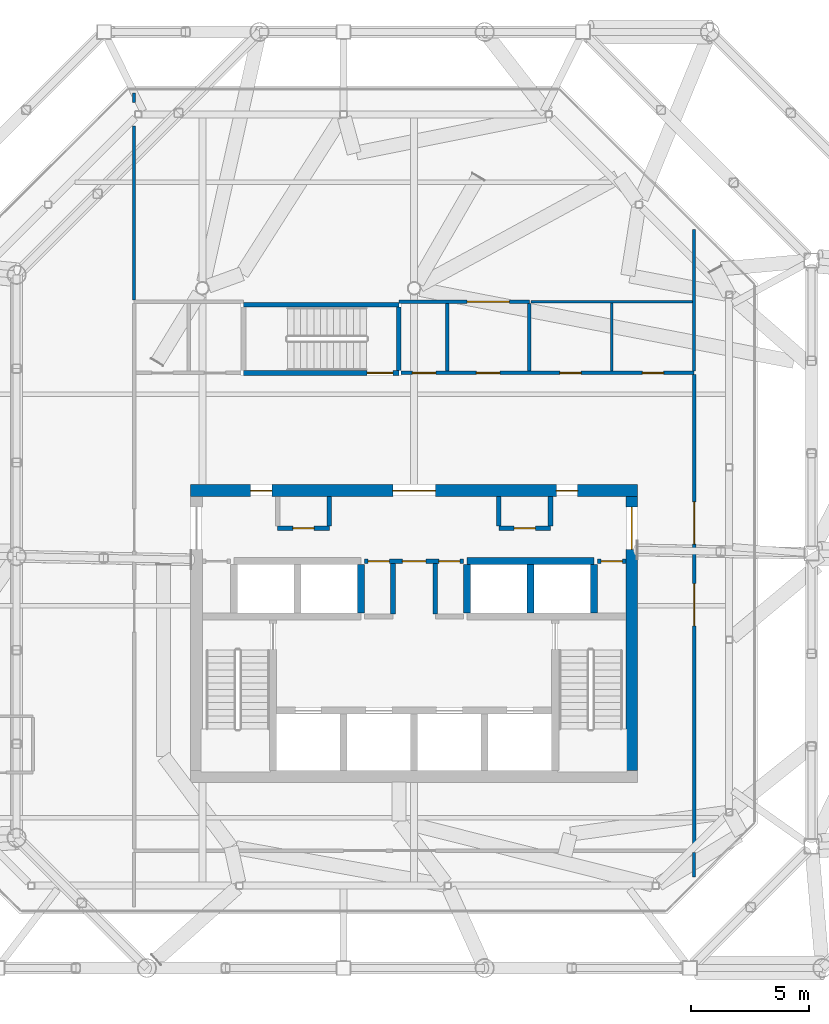
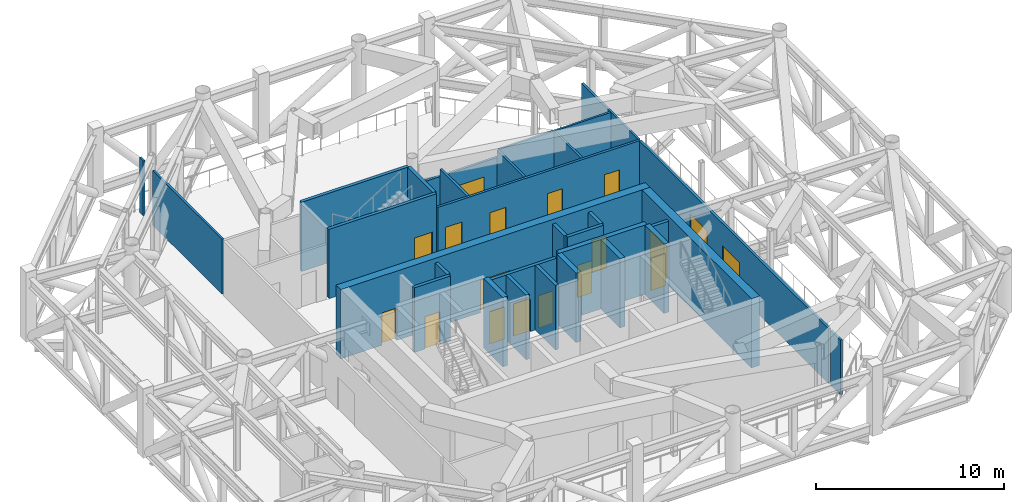
# One storey, part 10 of 14: 30 walls, 18 doors, 18 openings.
"""IFC4 building model written with IfcOpenShell, lengths in metres."""

from ifc_helpers import new_model, si_unit, direction, frame, frame_2d, origin, place, context, subcontext, project, spatial, rectangle, extrude, material, layer, layer_set, type_object, element, fill, save


model = new_model("IFC4")

# Units and contexts
model_context = context("Model", 3, precision=1e-05, world=origin(), true_north=direction((0.0, 1.0)))
body_context = subcontext(model_context, "Body", "Model", "MODEL_VIEW")
ifc_project = project(units=[si_unit("LENGTHUNIT", "METRE"), si_unit("AREAUNIT", "SQUARE_METRE"), si_unit("VOLUMEUNIT", "CUBIC_METRE"), si_unit("PLANEANGLEUNIT", "RADIAN"), si_unit("MASSUNIT", "GRAM", prefix="KILO")], contexts=[model_context])

# Site, building, storey
site_placement = place(None, origin())
site = spatial("IfcSite", under=ifc_project, at=site_placement, CompositionType="ELEMENT")
building_placement = place(site_placement, origin())
building = spatial("IfcBuilding", under=site, at=building_placement, Name="Tskaro Facet Tower", CompositionType="ELEMENT")
storey_placement = place(building_placement, frame((0.0, 0.0, 255.0)))
storey = spatial("IfcBuildingStorey", under=building, at=storey_placement, Name="L67", CompositionType="ELEMENT", Elevation=255.0)

# Walls
ifc_material_1 = material(Name="Concrete C60/75", Category="concrete")
ifc_layer_1 = layer(ifc_material_1, 0.300048828125, Name="Concrete C60/75")
ifc_layer_set_1 = layer_set([ifc_layer_1], Name="Concrete C60/75")
wall_type_1 = type_object("IfcWallType", Name="CORE-SHAFT", PredefinedType="SHEAR", material=ifc_layer_set_1)
wall_1_placement = place(storey_placement, frame((2.25, -2.60009765625, 0.0), z_axis=(0.0, 0.0, 1.0), x_axis=(1.0, 0.0, 0.0)))
element("IfcWall", 1, at=wall_1_placement, inside=storey, type_object=wall_type_1, Name="Shaft wall W012", PredefinedType="SHEAR", context=body_context, shape_type="SweptSolid", body=[
    extrude(rectangle(XDim=5.39990234375, YDim=0.300048828125, at=frame_2d((2.699951171875, 0.0))), origin(), (0.0, 0.0, 1.0), 4.5),
])
for number, where, z_axis, x_axis, name in (
    (2, (-2.25, -4.800048828125, 0.0), (0.0, 0.0, 1.0), (0.0, 1.0, 0.0), "Shaft wall W037"),
    (3, (2.25, -4.800048828125, 0.0), (0.0, 0.0, 1.0), (0.0, 1.0, 0.0), "Shaft wall W043"),
    (4, (4.949951171875, -4.800048828125, 0.0), (0.0, 0.0, 1.0), (0.0, 1.0, 0.0), "Shaft wall W047"),
    (5, (7.64990234375, -4.800048828125, 0.0), (0.0, 0.0, 1.0), (0.0, 1.0, 0.0), "Shaft wall W050"),
):
    element("IfcWall", number, at=place(storey_placement, frame(where, z_axis=z_axis, x_axis=x_axis)), inside=storey, type_object=wall_type_1, Name=name, PredefinedType="SHEAR", context=body_context, shape_type="SweptSolid", body=[
        extrude(rectangle(XDim=2.050048828125, YDim=0.300048828125, at=frame_2d((1.02490234375, 0.0))), origin(), (0.0, 0.0, 1.0), 4.5),
    ])

# Wall, openings, doors
ifc_material_2 = material(Name="Concrete C20/25", Category="concrete")
ifc_layer_2 = layer(ifc_material_2, 0.199951171875, Name="Concrete C20/25")
ifc_layer_set_2 = layer_set([ifc_layer_2], Name="Concrete C20/25")
wall_type_2 = type_object("IfcWallType", Name="CORE-WALL", PredefinedType="SOLIDWALL", material=ifc_layer_set_2)
wall_2_placement = place(storey_placement, frame((2.10009765625, -2.60009765625, 0.0), z_axis=(0.0, 0.0, 1.0), x_axis=(-1.0, 0.0, 0.0)))
wall_2 = element("IfcWall", 6, at=wall_2_placement, inside=storey, type_object=wall_type_2, Name="Core room wall W011", PredefinedType="SOLIDWALL", context=body_context, shape_type="SweptSolid", body=[
    extrude(rectangle(XDim=4.2001953125, YDim=0.199951171875, at=frame_2d((2.10009765625, 0.0))), origin(), (0.0, 0.0, 1.0), 4.199951171875),
])
opening_1_placement = place(wall_2_placement, frame((1.60009765625, 0.0, 0.0)))
opening_1 = element("IfcOpeningElement", 7, at=opening_1_placement, cuts=wall_2, Name="Opening FL-D1", PredefinedType="OPENING", context=body_context, shape_type="SweptSolid", body=[
    extrude(rectangle(XDim=1.0, YDim=2.10009765625, at=frame_2d((0.5, 1.050048828125))), frame((0.0, 0.10986328125, 0.0), z_axis=(0.0, -1.0, 0.0), x_axis=(1.0, 0.0, 0.0)), (0.0, 0.0, 1.0), 0.219970703125),
])
opening_2_placement = place(wall_2_placement, frame((3.14990234375, 0.0, 0.0)))
opening_2 = element("IfcOpeningElement", 8, at=opening_2_placement, cuts=wall_2, Name="Opening R67-D08", PredefinedType="OPENING", context=body_context, shape_type="SweptSolid", body=[
    extrude(rectangle(XDim=0.89990234375, YDim=2.10009765625, at=frame_2d((0.449951171875, 1.050048828125))), frame((0.0, 0.10986328125, 0.0), z_axis=(0.0, -1.0, 0.0), x_axis=(1.0, 0.0, 0.0)), (0.0, 0.0, 1.0), 0.219970703125),
])
opening_3_placement = place(wall_2_placement, frame((0.14990234375, 0.0, 0.0)))
opening_3 = element("IfcOpeningElement", 9, at=opening_3_placement, cuts=wall_2, Name="Opening R67-D09", PredefinedType="OPENING", context=body_context, shape_type="SweptSolid", body=[
    extrude(rectangle(XDim=0.89990234375, YDim=2.10009765625, at=frame_2d((0.449951171875, 1.050048828125))), frame((0.0, 0.10986328125, 0.0), z_axis=(0.0, -1.0, 0.0), x_axis=(1.0, 0.0, 0.0)), (0.0, 0.0, 1.0), 0.219970703125),
])
ifc_material_3 = material(Name="Steel", Category="steel")
door_type_1 = type_object("IfcDoorType", Name="D-LOBBY", OperationType="NOTDEFINED", PredefinedType="DOOR", material=ifc_material_3)
door_1_placement = place(opening_1_placement, origin())
door_1 = element("IfcDoor", 10, at=door_1_placement, inside=storey, type_object=door_type_1, Name="Lobby door FL", OperationType="SINGLE_SWING_RIGHT", OverallHeight=2.10009765625, OverallWidth=1.0, PredefinedType="DOOR", context=body_context, shape_type="SweptSolid", body=[
    extrude(rectangle(XDim=1.0, YDim=2.10009765625, at=frame_2d((0.5, 1.050048828125))), frame((0.0, 0.02490234375, 0.0), z_axis=(0.0, -1.0, 0.0), x_axis=(1.0, 0.0, 0.0)), (0.0, 0.0, 1.0), 0.050048828125),
])
fill(opening_1, door_1)
ifc_material_4 = material(Name="Timber", Category="wood")
door_type_2 = type_object("IfcDoorType", Name="D-ROOM", OperationType="NOTDEFINED", PredefinedType="DOOR", material=ifc_material_4)
door_2_placement = place(opening_2_placement, origin())
door_2 = element("IfcDoor", 11, at=door_2_placement, inside=storey, type_object=door_type_2, Name="Door R67-D08", OperationType="SINGLE_SWING_RIGHT", OverallHeight=2.10009765625, OverallWidth=0.89990234375, PredefinedType="DOOR", context=body_context, shape_type="SweptSolid", body=[
    extrude(rectangle(XDim=0.89990234375, YDim=2.10009765625, at=frame_2d((0.449951171875, 1.050048828125))), frame((0.0, 0.02490234375, 0.0), z_axis=(0.0, -1.0, 0.0), x_axis=(1.0, 0.0, 0.0)), (0.0, 0.0, 1.0), 0.050048828125),
])
fill(opening_2, door_2)
door_3_placement = place(opening_3_placement, origin())
door_3 = element("IfcDoor", 12, at=door_3_placement, inside=storey, type_object=door_type_2, Name="Door R67-D09", OperationType="SINGLE_SWING_RIGHT", OverallHeight=2.10009765625, OverallWidth=0.89990234375, PredefinedType="DOOR", context=body_context, shape_type="SweptSolid", body=[
    extrude(rectangle(XDim=0.89990234375, YDim=2.10009765625, at=frame_2d((0.449951171875, 1.050048828125))), frame((0.0, 0.02490234375, 0.0), z_axis=(0.0, -1.0, 0.0), x_axis=(1.0, 0.0, 0.0)), (0.0, 0.0, 1.0), 0.050048828125),
])
fill(opening_3, door_3)

# Wall, opening, door
wall_3_placement = place(storey_placement, frame((9.0, -2.60009765625, 0.0), z_axis=(0.0, 0.0, 1.0), x_axis=(-1.0, 0.0, 0.0)))
wall_3 = element("IfcWall", 13, at=wall_3_placement, inside=storey, type_object=wall_type_2, Name="Core room wall W013", PredefinedType="SOLIDWALL", context=body_context, shape_type="SweptSolid", body=[
    extrude(rectangle(XDim=1.199951171875, YDim=0.199951171875, at=frame_2d((0.60009765625, 0.0))), origin(), (0.0, 0.0, 1.0), 4.199951171875),
])
opening_4_placement = place(wall_3_placement, frame((0.14990234375, 0.0, 0.0)))
opening_4 = element("IfcOpeningElement", 14, at=opening_4_placement, cuts=wall_3, Name="Opening R67-D10", PredefinedType="OPENING", context=body_context, shape_type="SweptSolid", body=[
    extrude(rectangle(XDim=0.89990234375, YDim=2.10009765625, at=frame_2d((0.449951171875, 1.050048828125))), frame((0.0, 0.10986328125, 0.0), z_axis=(0.0, -1.0, 0.0), x_axis=(1.0, 0.0, 0.0)), (0.0, 0.0, 1.0), 0.219970703125),
])
door_4_placement = place(opening_4_placement, origin())
door_4 = element("IfcDoor", 15, at=door_4_placement, inside=storey, type_object=door_type_2, Name="Door R67-D10", OperationType="SINGLE_SWING_RIGHT", OverallHeight=2.10009765625, OverallWidth=0.89990234375, PredefinedType="DOOR", context=body_context, shape_type="SweptSolid", body=[
    extrude(rectangle(XDim=0.89990234375, YDim=2.10009765625, at=frame_2d((0.449951171875, 1.050048828125))), frame((0.0, 0.02490234375, 0.0), z_axis=(0.0, -1.0, 0.0), x_axis=(1.0, 0.0, 0.0)), (0.0, 0.0, 1.0), 0.050048828125),
])
fill(opening_4, door_4)

wall_4_placement = place(storey_placement, frame((-5.800048828125, -1.199951171875, 0.0), z_axis=(0.0, 0.0, 1.0), x_axis=(1.0, 0.0, 0.0)))
wall_4 = element("IfcWall", 16, at=wall_4_placement, inside=storey, type_object=wall_type_2, Name="Core room wall W014", PredefinedType="SOLIDWALL", context=body_context, shape_type="SweptSolid", body=[
    extrude(rectangle(XDim=2.199951171875, YDim=0.199951171875, at=frame_2d((1.10009765625, 0.0))), origin(), (0.0, 0.0, 1.0), 4.199951171875),
])
opening_5_placement = place(wall_4_placement, frame((0.64990234375, 0.0, 0.0)))
opening_5 = element("IfcOpeningElement", 17, at=opening_5_placement, cuts=wall_4, Name="Opening R67-D13", PredefinedType="OPENING", context=body_context, shape_type="SweptSolid", body=[
    extrude(rectangle(XDim=0.89990234375, YDim=2.10009765625, at=frame_2d((0.449951171875, 1.050048828125))), frame((0.0, 0.10986328125, 0.0), z_axis=(0.0, -1.0, 0.0), x_axis=(1.0, 0.0, 0.0)), (0.0, 0.0, 1.0), 0.219970703125),
])
door_5_placement = place(opening_5_placement, origin())
door_5 = element("IfcDoor", 18, at=door_5_placement, inside=storey, type_object=door_type_2, Name="Door R67-D13", OperationType="SINGLE_SWING_LEFT", OverallHeight=2.10009765625, OverallWidth=0.89990234375, PredefinedType="DOOR", context=body_context, shape_type="SweptSolid", body=[
    extrude(rectangle(XDim=0.89990234375, YDim=2.10009765625, at=frame_2d((0.449951171875, 1.050048828125))), frame((0.0, 0.02490234375, 0.0), z_axis=(0.0, -1.0, 0.0), x_axis=(1.0, 0.0, 0.0)), (0.0, 0.0, 1.0), 0.050048828125),
])
fill(opening_5, door_5)

wall_5_placement = place(storey_placement, frame((3.60009765625, -1.199951171875, 0.0), z_axis=(0.0, 0.0, 1.0), x_axis=(1.0, 0.0, 0.0)))
wall_5 = element("IfcWall", 19, at=wall_5_placement, inside=storey, type_object=wall_type_2, Name="Core room wall W015", PredefinedType="SOLIDWALL", context=body_context, shape_type="SweptSolid", body=[
    extrude(rectangle(XDim=2.199951171875, YDim=0.199951171875, at=frame_2d((1.10009765625, 0.0))), origin(), (0.0, 0.0, 1.0), 4.199951171875),
])
opening_6_placement = place(wall_5_placement, frame((0.64990234375, 0.0, 0.0)))
opening_6 = element("IfcOpeningElement", 20, at=opening_6_placement, cuts=wall_5, Name="Opening R67-D14", PredefinedType="OPENING", context=body_context, shape_type="SweptSolid", body=[
    extrude(rectangle(XDim=0.89990234375, YDim=2.10009765625, at=frame_2d((0.449951171875, 1.050048828125))), frame((0.0, 0.10986328125, 0.0), z_axis=(0.0, -1.0, 0.0), x_axis=(1.0, 0.0, 0.0)), (0.0, 0.0, 1.0), 0.219970703125),
])
door_6_placement = place(opening_6_placement, origin())
door_6 = element("IfcDoor", 21, at=door_6_placement, inside=storey, type_object=door_type_2, Name="Door R67-D14", OperationType="SINGLE_SWING_LEFT", OverallHeight=2.10009765625, OverallWidth=0.89990234375, PredefinedType="DOOR", context=body_context, shape_type="SweptSolid", body=[
    extrude(rectangle(XDim=0.89990234375, YDim=2.10009765625, at=frame_2d((0.449951171875, 1.050048828125))), frame((0.0, 0.02490234375, 0.0), z_axis=(0.0, -1.0, 0.0), x_axis=(1.0, 0.0, 0.0)), (0.0, 0.0, 1.0), 0.050048828125),
])
fill(opening_6, door_6)

# Walls
wall_6_placement = place(storey_placement, frame((-3.60009765625, -1.10009765625, 0.0), z_axis=(0.0, 0.0, 1.0), x_axis=(0.0, 1.0, 0.0)))
element("IfcWall", 22, at=wall_6_placement, inside=storey, type_object=wall_type_2, Name="Core room wall W035", PredefinedType="SOLIDWALL", context=body_context, shape_type="SweptSolid", body=[
    extrude(rectangle(XDim=1.25, YDim=0.199951171875, at=frame_2d((0.625, 0.0))), origin(), (0.0, 0.0, 1.0), 4.199951171875),
])
for number, where, z_axis, x_axis, name in (
    (23, (-0.89990234375, -4.85009765625, 0.0), (0.0, 0.0, 1.0), (0.0, 1.0, 0.0), "Core room wall W038"),
    (24, (0.89990234375, -4.85009765625, 0.0), (0.0, 0.0, 1.0), (0.0, 1.0, 0.0), "Core room wall W041"),
):
    element("IfcWall", number, at=place(storey_placement, frame(where, z_axis=z_axis, x_axis=x_axis)), inside=storey, type_object=wall_type_2, Name=name, PredefinedType="SOLIDWALL", context=body_context, shape_type="SweptSolid", body=[
        extrude(rectangle(XDim=2.150146484375, YDim=0.199951171875, at=frame_2d((1.0751953125, 0.0))), origin(), (0.0, 0.0, 1.0), 4.199951171875),
    ])
for number, where, z_axis, x_axis, name in (
    (25, (3.60009765625, -1.10009765625, 0.0), (0.0, 0.0, 1.0), (0.0, 1.0, 0.0), "Core room wall W045"),
    (26, (5.800048828125, -1.10009765625, 0.0), (0.0, 0.0, 1.0), (0.0, 1.0, 0.0), "Core room wall W048"),
):
    element("IfcWall", number, at=place(storey_placement, frame(where, z_axis=z_axis, x_axis=x_axis)), inside=storey, type_object=wall_type_2, Name=name, PredefinedType="SOLIDWALL", context=body_context, shape_type="SweptSolid", body=[
        extrude(rectangle(XDim=1.25, YDim=0.199951171875, at=frame_2d((0.625, 0.0))), origin(), (0.0, 0.0, 1.0), 4.199951171875),
    ])

# Wall, openings, doors
ifc_material_5 = material(Name="Concrete C40/50", Category="concrete")
ifc_layer_3 = layer(ifc_material_5, 0.5, Name="Concrete C40/50")
ifc_layer_set_3 = layer_set([ifc_layer_3], Name="Concrete C40/50")
wall_type_3 = type_object("IfcWallType", Name="Core wall 500", PredefinedType="SHEAR", material=ifc_layer_set_3)
wall_7_placement = place(storey_placement, frame((-9.5, 0.39990234375, 0.0), z_axis=(0.0, 0.0, 1.0), x_axis=(1.0, 0.0, 0.0)))
wall_7 = element("IfcWall", 27, at=wall_7_placement, inside=storey, type_object=wall_type_3, Name="Core wall CW-Z3N", PredefinedType="SHEAR", context=body_context, shape_type="SweptSolid", body=[
    extrude(rectangle(XDim=19.0, YDim=0.5, at=frame_2d((9.5, 0.0))), origin(), (0.0, 0.0, 1.0), 4.5),
])
opening_7_placement = place(wall_7_placement, frame((8.60009765625, 0.0, 0.0)))
opening_7 = element("IfcOpeningElement", 28, at=opening_7_placement, cuts=wall_7, Name="Opening R67-D17", PredefinedType="OPENING", context=body_context, shape_type="SweptSolid", body=[
    extrude(rectangle(XDim=1.800048828125, YDim=2.10009765625, at=frame_2d((0.89990234375, 1.050048828125))), frame((0.0, 0.260009765625, 0.0), z_axis=(0.0, -1.0, 0.0), x_axis=(1.0, 0.0, 0.0)), (0.0, 0.0, 1.0), 0.52001953125),
])
opening_8_placement = place(wall_7_placement, frame((2.550048828125, 0.0, 0.0)))
opening_8 = element("IfcOpeningElement", 29, at=opening_8_placement, cuts=wall_7, Name="Opening R67-D16", PredefinedType="OPENING", context=body_context, shape_type="SweptSolid", body=[
    extrude(rectangle(XDim=0.89990234375, YDim=2.10009765625, at=frame_2d((0.449951171875, 1.050048828125))), frame((0.0, 0.260009765625, 0.0), z_axis=(0.0, -1.0, 0.0), x_axis=(1.0, 0.0, 0.0)), (0.0, 0.0, 1.0), 0.52001953125),
])
opening_9_placement = place(wall_7_placement, frame((15.550048828125, 0.0, 0.0)))
opening_9 = element("IfcOpeningElement", 30, at=opening_9_placement, cuts=wall_7, Name="Opening R67-D18", PredefinedType="OPENING", context=body_context, shape_type="SweptSolid", body=[
    extrude(rectangle(XDim=0.89990234375, YDim=2.10009765625, at=frame_2d((0.449951171875, 1.050048828125))), frame((0.0, 0.260009765625, 0.0), z_axis=(0.0, -1.0, 0.0), x_axis=(1.0, 0.0, 0.0)), (0.0, 0.0, 1.0), 0.52001953125),
])
door_type_3 = type_object("IfcDoorType", Name="D-CORE-PAIR", OperationType="NOTDEFINED", PredefinedType="DOOR", material=ifc_material_3)
door_7_placement = place(opening_7_placement, origin())
door_7 = element("IfcDoor", 31, at=door_7_placement, inside=storey, type_object=door_type_3, Name="Door R67-D17", OperationType="DOUBLE_DOOR_SINGLE_SWING", OverallHeight=2.10009765625, OverallWidth=1.800048828125, PredefinedType="DOOR", context=body_context, shape_type="SweptSolid", body=[
    extrude(rectangle(XDim=1.800048828125, YDim=2.10009765625, at=frame_2d((0.89990234375, 1.050048828125))), frame((0.0, 0.02490234375, 0.0), z_axis=(0.0, -1.0, 0.0), x_axis=(1.0, 0.0, 0.0)), (0.0, 0.0, 1.0), 0.050048828125),
])
fill(opening_7, door_7)
door_8_placement = place(opening_8_placement, origin())
door_8 = element("IfcDoor", 32, at=door_8_placement, inside=storey, type_object=door_type_2, Name="Door R67-D16", OperationType="SINGLE_SWING_LEFT", OverallHeight=2.10009765625, OverallWidth=0.89990234375, PredefinedType="DOOR", context=body_context, shape_type="SweptSolid", body=[
    extrude(rectangle(XDim=0.89990234375, YDim=2.10009765625, at=frame_2d((0.449951171875, 1.050048828125))), frame((0.0, 0.02490234375, 0.0), z_axis=(0.0, -1.0, 0.0), x_axis=(1.0, 0.0, 0.0)), (0.0, 0.0, 1.0), 0.050048828125),
])
fill(opening_8, door_8)
door_9_placement = place(opening_9_placement, origin())
door_9 = element("IfcDoor", 33, at=door_9_placement, inside=storey, type_object=door_type_2, Name="Door R67-D18", OperationType="SINGLE_SWING_LEFT", OverallHeight=2.10009765625, OverallWidth=0.89990234375, PredefinedType="DOOR", context=body_context, shape_type="SweptSolid", body=[
    extrude(rectangle(XDim=0.89990234375, YDim=2.10009765625, at=frame_2d((0.449951171875, 1.050048828125))), frame((0.0, 0.02490234375, 0.0), z_axis=(0.0, -1.0, 0.0), x_axis=(1.0, 0.0, 0.0)), (0.0, 0.0, 1.0), 0.050048828125),
])
fill(opening_9, door_9)

# Wall, opening, door
wall_8_placement = place(storey_placement, frame((9.25, -11.5, 0.0), z_axis=(0.0, 0.0, 1.0), x_axis=(0.0, 1.0, 0.0)))
wall_8 = element("IfcWall", 34, at=wall_8_placement, inside=storey, type_object=wall_type_3, Name="Core wall CW-Z3E", PredefinedType="SHEAR", context=body_context, shape_type="SweptSolid", body=[
    extrude(rectangle(XDim=11.64990234375, YDim=0.5, at=frame_2d((5.824951171875, 0.0))), origin(), (0.0, 0.0, 1.0), 4.5),
])
opening_10_placement = place(wall_8_placement, frame((9.39990234375, 0.0, 0.0)))
opening_10 = element("IfcOpeningElement", 35, at=opening_10_placement, cuts=wall_8, Name="Opening R67-D15", PredefinedType="OPENING", context=body_context, shape_type="SweptSolid", body=[
    extrude(rectangle(XDim=1.800048828125, YDim=2.10009765625, at=frame_2d((0.89990234375, 1.050048828125))), frame((0.0, 0.260009765625, 0.0), z_axis=(0.0, -1.0, 0.0), x_axis=(1.0, 0.0, 0.0)), (0.0, 0.0, 1.0), 0.52001953125),
])
door_10_placement = place(opening_10_placement, origin())
door_10 = element("IfcDoor", 36, at=door_10_placement, inside=storey, type_object=door_type_3, Name="Door R67-D15", OperationType="DOUBLE_DOOR_SINGLE_SWING", OverallHeight=2.10009765625, OverallWidth=1.800048828125, PredefinedType="DOOR", context=body_context, shape_type="SweptSolid", body=[
    extrude(rectangle(XDim=1.800048828125, YDim=2.10009765625, at=frame_2d((0.89990234375, 1.050048828125))), frame((0.0, 0.02490234375, 0.0), z_axis=(0.0, -1.0, 0.0), x_axis=(1.0, 0.0, 0.0)), (0.0, 0.0, 1.0), 0.050048828125),
])
fill(opening_10, door_10)

# Walls
ifc_material_6 = material(Name="Gypsum board on steel studs", Category="steel")
ifc_layer_4 = layer(ifc_material_6, 0.125, Name="Gypsum board on steel studs")
ifc_layer_set_4 = layer_set([ifc_layer_4], Name="Gypsum board on steel studs")
wall_type_4 = type_object("IfcWallType", Name="PART", PredefinedType="PARTITIONING", material=ifc_layer_set_4)
wall_9_placement = place(storey_placement, frame((4.97509765625, 8.425048828125, 0.0), z_axis=(0.0, 0.0, 1.0), x_axis=(1.0, 0.0, 0.0)))
element("IfcWall", 37, at=wall_9_placement, inside=storey, type_object=wall_type_4, Name="Partition W022", PredefinedType="PARTITIONING", context=body_context, shape_type="SweptSolid", body=[
    extrude(rectangle(XDim=6.8623046875, YDim=0.125, at=frame_2d((3.43115234375, 0.0))), origin(), (0.0, 0.0, 1.0), 3.56005859375),
])
wall_10_placement = place(storey_placement, frame((-11.89990234375, 8.5, 0.0), z_axis=(0.0, 0.0, 1.0), x_axis=(0.0, 1.0, 0.0)))
element("IfcWall", 38, at=wall_10_placement, inside=storey, type_object=wall_type_4, Name="Partition W027", PredefinedType="PARTITIONING", context=body_context, shape_type="SweptSolid", body=[
    extrude(rectangle(XDim=7.39111328125, YDim=0.125, at=frame_2d((3.695556640625, 0.0))), origin(), (0.0, 0.0, 1.0), 3.56005859375),
])
wall_11_placement = place(storey_placement, frame((-11.89990234375, 16.89111328125, 0.0), z_axis=(0.0, 0.0, 1.0), x_axis=(0.0, 1.0, 0.0)))
element("IfcWall", 39, at=wall_11_placement, inside=storey, type_object=wall_type_4, Name="Partition W028", PredefinedType="PARTITIONING", context=body_context, shape_type="SweptSolid", body=[
    extrude(rectangle(XDim=0.39990234375, YDim=0.125, at=frame_2d((0.199951171875, 0.0))), origin(), (0.0, 0.0, 1.0), 3.56005859375),
])
wall_12_placement = place(storey_placement, frame((8.39990234375, 5.47509765625, 0.0), z_axis=(0.0, 0.0, 1.0), x_axis=(0.0, 1.0, 0.0)))
element("IfcWall", 40, at=wall_12_placement, inside=storey, type_object=wall_type_4, Name="Partition W051", PredefinedType="PARTITIONING", context=body_context, shape_type="SweptSolid", body=[
    extrude(rectangle(XDim=2.887451171875, YDim=0.125, at=frame_2d((1.44384765625, 0.0))), origin(), (0.0, 0.0, 1.0), 3.56005859375),
])
wall_13_placement = place(storey_placement, frame((11.89990234375, -16.031982421875, 0.0), z_axis=(0.0, 0.0, 1.0), x_axis=(0.0, 1.0, 0.0)))
element("IfcWall", 41, at=wall_13_placement, inside=storey, type_object=wall_type_4, Name="Partition W052", PredefinedType="PARTITIONING", context=body_context, shape_type="SweptSolid", body=[
    extrude(rectangle(XDim=1.056884765625, YDim=0.125, at=frame_2d((0.5283203125, 0.0))), origin(), (0.0, 0.0, 1.0), 3.56005859375),
])
wall_14_placement = place(storey_placement, frame((11.89990234375, 5.47509765625, 0.0), z_axis=(0.0, 0.0, 1.0), x_axis=(0.0, 1.0, 0.0)))
element("IfcWall", 42, at=wall_14_placement, inside=storey, type_object=wall_type_4, Name="Partition W054", PredefinedType="PARTITIONING", context=body_context, shape_type="SweptSolid", body=[
    extrude(rectangle(XDim=6.013916015625, YDim=0.125, at=frame_2d((3.0068359375, 0.0))), origin(), (0.0, 0.0, 1.0), 3.56005859375),
])

# Wall, openings, doors
ifc_layer_5 = layer(ifc_material_6, 0.14990234375, Name="Gypsum board on steel studs")
ifc_layer_set_5 = layer_set([ifc_layer_5], Name="Gypsum board on steel studs")
wall_type_5 = type_object("IfcWallType", Name="PART-CORR", PredefinedType="PARTITIONING", material=ifc_layer_set_5)
wall_15_placement = place(storey_placement, frame((11.89990234375, 5.39990234375, 0.0), z_axis=(0.0, 0.0, 1.0), x_axis=(-1.0, 0.0, 0.0)))
wall_15 = element("IfcWall", 43, at=wall_15_placement, inside=storey, type_object=wall_type_5, Name="Corridor wall W018", PredefinedType="PARTITIONING", context=body_context, shape_type="SweptSolid", body=[
    extrude(rectangle(XDim=12.449951171875, YDim=0.14990234375, at=frame_2d((6.22509765625, 0.0))), origin(), (0.0, 0.0, 1.0), 3.56005859375),
])
opening_11_placement = place(wall_15_placement, frame((8.25, 0.0, 0.0)))
opening_11 = element("IfcOpeningElement", 44, at=opening_11_placement, cuts=wall_15, Name="Opening R67-D22", PredefinedType="OPENING", context=body_context, shape_type="SweptSolid", body=[
    extrude(rectangle(XDim=1.0, YDim=2.10009765625, at=frame_2d((0.5, 1.050048828125))), frame((0.0, 0.0849609375, 0.0), z_axis=(0.0, -1.0, 0.0), x_axis=(1.0, 0.0, 0.0)), (0.0, 0.0, 1.0), 0.169921875),
])
opening_12_placement = place(wall_15_placement, frame((10.97509765625, 0.0, 0.0)))
opening_12 = element("IfcOpeningElement", 45, at=opening_12_placement, cuts=wall_15, Name="Opening R67-D21", PredefinedType="OPENING", context=body_context, shape_type="SweptSolid", body=[
    extrude(rectangle(XDim=1.0, YDim=2.10009765625, at=frame_2d((0.5, 1.050048828125))), frame((0.0, 0.0849609375, 0.0), z_axis=(0.0, -1.0, 0.0), x_axis=(1.0, 0.0, 0.0)), (0.0, 0.0, 1.0), 0.169921875),
])
opening_13_placement = place(wall_15_placement, frame((4.800048828125, 0.0, 0.0)))
opening_13 = element("IfcOpeningElement", 46, at=opening_13_placement, cuts=wall_15, Name="Opening R67-D23", PredefinedType="OPENING", context=body_context, shape_type="SweptSolid", body=[
    extrude(rectangle(XDim=0.89990234375, YDim=2.10009765625, at=frame_2d((0.449951171875, 1.050048828125))), frame((0.0, 0.0849609375, 0.0), z_axis=(0.0, -1.0, 0.0), x_axis=(1.0, 0.0, 0.0)), (0.0, 0.0, 1.0), 0.169921875),
])
opening_14_placement = place(wall_15_placement, frame((1.300048828125, 0.0, 0.0)))
opening_14 = element("IfcOpeningElement", 47, at=opening_14_placement, cuts=wall_15, Name="Opening R67-D24", PredefinedType="OPENING", context=body_context, shape_type="SweptSolid", body=[
    extrude(rectangle(XDim=0.89990234375, YDim=2.10009765625, at=frame_2d((0.449951171875, 1.050048828125))), frame((0.0, 0.0849609375, 0.0), z_axis=(0.0, -1.0, 0.0), x_axis=(1.0, 0.0, 0.0)), (0.0, 0.0, 1.0), 0.169921875),
])
door_type_4 = type_object("IfcDoorType", Name="D-ENTRY", OperationType="NOTDEFINED", PredefinedType="DOOR", material=ifc_material_4)
door_11_placement = place(opening_11_placement, origin())
door_11 = element("IfcDoor", 48, at=door_11_placement, inside=storey, type_object=door_type_4, Name="Door R67-D22", OperationType="SINGLE_SWING_RIGHT", OverallHeight=2.10009765625, OverallWidth=1.0, PredefinedType="DOOR", context=body_context, shape_type="SweptSolid", body=[
    extrude(rectangle(XDim=1.0, YDim=2.10009765625, at=frame_2d((0.5, 1.050048828125))), frame((0.0, 0.02490234375, 0.0), z_axis=(0.0, -1.0, 0.0), x_axis=(1.0, 0.0, 0.0)), (0.0, 0.0, 1.0), 0.050048828125),
])
fill(opening_11, door_11)
door_12_placement = place(opening_13_placement, origin())
door_12 = element("IfcDoor", 49, at=door_12_placement, inside=storey, type_object=door_type_2, Name="Door R67-D23", OperationType="SINGLE_SWING_RIGHT", OverallHeight=2.10009765625, OverallWidth=0.89990234375, PredefinedType="DOOR", context=body_context, shape_type="SweptSolid", body=[
    extrude(rectangle(XDim=0.89990234375, YDim=2.10009765625, at=frame_2d((0.449951171875, 1.050048828125))), frame((0.0, 0.02490234375, 0.0), z_axis=(0.0, -1.0, 0.0), x_axis=(1.0, 0.0, 0.0)), (0.0, 0.0, 1.0), 0.050048828125),
])
fill(opening_13, door_12)
door_13_placement = place(opening_14_placement, origin())
door_13 = element("IfcDoor", 50, at=door_13_placement, inside=storey, type_object=door_type_2, Name="Door R67-D24", OperationType="SINGLE_SWING_RIGHT", OverallHeight=2.10009765625, OverallWidth=0.89990234375, PredefinedType="DOOR", context=body_context, shape_type="SweptSolid", body=[
    extrude(rectangle(XDim=0.89990234375, YDim=2.10009765625, at=frame_2d((0.449951171875, 1.050048828125))), frame((0.0, 0.02490234375, 0.0), z_axis=(0.0, -1.0, 0.0), x_axis=(1.0, 0.0, 0.0)), (0.0, 0.0, 1.0), 0.050048828125),
])
fill(opening_14, door_13)
door_type_5 = type_object("IfcDoorType", Name="D-ROOM-WIDE", OperationType="NOTDEFINED", PredefinedType="DOOR", material=ifc_material_4)
door_14_placement = place(opening_12_placement, origin())
door_14 = element("IfcDoor", 51, at=door_14_placement, inside=storey, type_object=door_type_5, Name="Door R67-D21", OperationType="SINGLE_SWING_RIGHT", OverallHeight=2.10009765625, OverallWidth=1.0, PredefinedType="DOOR", context=body_context, shape_type="SweptSolid", body=[
    extrude(rectangle(XDim=1.0, YDim=2.10009765625, at=frame_2d((0.5, 1.050048828125))), frame((0.0, 0.02490234375, 0.0), z_axis=(0.0, -1.0, 0.0), x_axis=(1.0, 0.0, 0.0)), (0.0, 0.0, 1.0), 0.050048828125),
])
fill(opening_12, door_14)

# Wall, opening, door
wall_16_placement = place(storey_placement, frame((-0.64990234375, 8.425048828125, 0.0), z_axis=(0.0, 0.0, 1.0), x_axis=(1.0, 0.0, 0.0)))
wall_16 = element("IfcWall", 52, at=wall_16_placement, inside=storey, type_object=wall_type_5, Name="Corridor wall W021", PredefinedType="PARTITIONING", context=body_context, shape_type="SweptSolid", body=[
    extrude(rectangle(XDim=5.5498046875, YDim=0.14990234375, at=frame_2d((2.77490234375, 0.0))), origin(), (0.0, 0.0, 1.0), 3.080078125),
])
opening_15_placement = place(wall_16_placement, frame((2.89990234375, 0.0, 0.0)))
opening_15 = element("IfcOpeningElement", 53, at=opening_15_placement, cuts=wall_16, Name="Opening R67-D25", PredefinedType="OPENING", context=body_context, shape_type="SweptSolid", body=[
    extrude(rectangle(XDim=1.800048828125, YDim=2.10009765625, at=frame_2d((0.89990234375, 1.050048828125))), frame((0.0, 0.0849609375, 0.0), z_axis=(0.0, -1.0, 0.0), x_axis=(1.0, 0.0, 0.0)), (0.0, 0.0, 1.0), 0.169921875),
])
ifc_material_7 = material(Name="Glass", Category="glass")
door_type_6 = type_object("IfcDoorType", Name="D-ENTRY-PAIR", OperationType="NOTDEFINED", PredefinedType="DOOR", material=ifc_material_7)
door_15_placement = place(opening_15_placement, origin())
door_15 = element("IfcDoor", 54, at=door_15_placement, inside=storey, type_object=door_type_6, Name="Door R67-D25", OperationType="DOUBLE_DOOR_SINGLE_SWING", OverallHeight=2.10009765625, OverallWidth=1.800048828125, PredefinedType="DOOR", context=body_context, shape_type="SweptSolid", body=[
    extrude(rectangle(XDim=1.800048828125, YDim=2.10009765625, at=frame_2d((0.89990234375, 1.050048828125))), frame((0.0, 0.02490234375, 0.0), z_axis=(0.0, -1.0, 0.0), x_axis=(1.0, 0.0, 0.0)), (0.0, 0.0, 1.0), 0.050048828125),
])
fill(opening_15, door_15)

# Walls
for number, where, z_axis, x_axis, name in (
    (55, (1.39990234375, 5.47509765625, 0.0), (0.0, 0.0, 1.0), (0.0, 1.0, 0.0), "Corridor wall W042"),
    (56, (4.89990234375, 5.47509765625, 0.0), (0.0, 0.0, 1.0), (0.0, 1.0, 0.0), "Corridor wall W046"),
):
    element("IfcWall", number, at=place(storey_placement, frame(where, z_axis=z_axis, x_axis=x_axis)), inside=storey, type_object=wall_type_5, Name=name, PredefinedType="PARTITIONING", context=body_context, shape_type="SweptSolid", body=[
        extrude(rectangle(XDim=2.875, YDim=0.14990234375, at=frame_2d((1.4375, 0.0))), origin(), (0.0, 0.0, 1.0), 3.56005859375),
    ])

# Wall, openings, doors
wall_17_placement = place(storey_placement, frame((11.89990234375, -14.824951171875, 0.0), z_axis=(0.0, 0.0, 1.0), x_axis=(0.0, 1.0, 0.0)))
wall_17 = element("IfcWall", 57, at=wall_17_placement, inside=storey, type_object=wall_type_5, Name="Corridor wall W053", PredefinedType="PARTITIONING", context=body_context, shape_type="SweptSolid", body=[
    extrude(rectangle(XDim=20.14990234375, YDim=0.14990234375, at=frame_2d((10.074951171875, 0.0))), origin(), (0.0, 0.0, 1.0), 3.56005859375),
])
opening_16_placement = place(wall_17_placement, frame((9.47509765625, 0.0, 0.0)))
opening_16 = element("IfcOpeningElement", 58, at=opening_16_placement, cuts=wall_17, Name="Opening R67-D05", PredefinedType="OPENING", context=body_context, shape_type="SweptSolid", body=[
    extrude(rectangle(XDim=1.800048828125, YDim=2.10009765625, at=frame_2d((0.89990234375, 1.050048828125))), frame((0.0, 0.0849609375, 0.0), z_axis=(0.0, -1.0, 0.0), x_axis=(1.0, 0.0, 0.0)), (0.0, 0.0, 1.0), 0.169921875),
])
opening_17_placement = place(wall_17_placement, frame((12.949951171875, 0.0, 0.0)))
opening_17 = element("IfcOpeningElement", 59, at=opening_17_placement, cuts=wall_17, Name="Opening R67-D11", PredefinedType="OPENING", context=body_context, shape_type="SweptSolid", body=[
    extrude(rectangle(XDim=1.800048828125, YDim=2.10009765625, at=frame_2d((0.89990234375, 1.050048828125))), frame((0.0, 0.0849609375, 0.0), z_axis=(0.0, -1.0, 0.0), x_axis=(1.0, 0.0, 0.0)), (0.0, 0.0, 1.0), 0.169921875),
])
door_16_placement = place(opening_16_placement, origin())
door_16 = element("IfcDoor", 60, at=door_16_placement, inside=storey, type_object=door_type_6, Name="Door R67-D05", OperationType="DOUBLE_DOOR_SINGLE_SWING", OverallHeight=2.10009765625, OverallWidth=1.800048828125, PredefinedType="DOOR", context=body_context, shape_type="SweptSolid", body=[
    extrude(rectangle(XDim=1.800048828125, YDim=2.10009765625, at=frame_2d((0.89990234375, 1.050048828125))), frame((0.0, 0.02490234375, 0.0), z_axis=(0.0, -1.0, 0.0), x_axis=(1.0, 0.0, 0.0)), (0.0, 0.0, 1.0), 0.050048828125),
])
fill(opening_16, door_16)
door_17_placement = place(opening_17_placement, origin())
door_17 = element("IfcDoor", 61, at=door_17_placement, inside=storey, type_object=door_type_6, Name="Door R67-D11", OperationType="DOUBLE_DOOR_SINGLE_SWING", OverallHeight=2.10009765625, OverallWidth=1.800048828125, PredefinedType="DOOR", context=body_context, shape_type="SweptSolid", body=[
    extrude(rectangle(XDim=1.800048828125, YDim=2.10009765625, at=frame_2d((0.89990234375, 1.050048828125))), frame((0.0, 0.02490234375, 0.0), z_axis=(0.0, -1.0, 0.0), x_axis=(1.0, 0.0, 0.0)), (0.0, 0.0, 1.0), 0.050048828125),
])
fill(opening_17, door_17)

# Wall, opening, door
ifc_layer_6 = layer(ifc_material_1, 0.199951171875, Name="Concrete C60/75")
ifc_layer_set_6 = layer_set([ifc_layer_6], Name="Concrete C60/75")
wall_type_6 = type_object("IfcWallType", Name="STAIR-WALL", PredefinedType="SHEAR", material=ifc_layer_set_6)
wall_18_placement = place(storey_placement, frame((-7.25, 5.39990234375, 0.0), z_axis=(0.0, 0.0, 1.0), x_axis=(1.0, 0.0, 0.0)))
wall_18 = element("IfcWall", 62, at=wall_18_placement, inside=storey, type_object=wall_type_6, Name="Stair wall W017", PredefinedType="SHEAR", context=body_context, shape_type="SweptSolid", body=[
    extrude(rectangle(XDim=6.60009765625, YDim=0.199951171875, at=frame_2d((3.300048828125, 0.0))), origin(), (0.0, 0.0, 1.0), 4.5),
])
opening_18_placement = place(wall_18_placement, frame((5.25, 0.0, 0.0)))
opening_18 = element("IfcOpeningElement", 63, at=opening_18_placement, cuts=wall_18, Name="Opening ST-3-D1", PredefinedType="OPENING", context=body_context, shape_type="SweptSolid", body=[
    extrude(rectangle(XDim=1.10009765625, YDim=2.10009765625, at=frame_2d((0.550048828125, 1.050048828125))), frame((0.0, 0.10986328125, 0.0), z_axis=(0.0, -1.0, 0.0), x_axis=(1.0, 0.0, 0.0)), (0.0, 0.0, 1.0), 0.219970703125),
])
door_type_7 = type_object("IfcDoorType", Name="D-STAIR", OperationType="NOTDEFINED", PredefinedType="DOOR", material=ifc_material_3)
door_18_placement = place(opening_18_placement, origin())
door_18 = element("IfcDoor", 64, at=door_18_placement, inside=storey, type_object=door_type_7, Name="Stair door 3", OperationType="SINGLE_SWING_LEFT", OverallHeight=2.10009765625, OverallWidth=1.10009765625, PredefinedType="DOOR", context=body_context, shape_type="SweptSolid", body=[
    extrude(rectangle(XDim=1.10009765625, YDim=2.10009765625, at=frame_2d((0.550048828125, 1.050048828125))), frame((0.0, 0.02490234375, 0.0), z_axis=(0.0, -1.0, 0.0), x_axis=(1.0, 0.0, 0.0)), (0.0, 0.0, 1.0), 0.050048828125),
])
fill(opening_18, door_18)

# Walls
wall_19_placement = place(storey_placement, frame((-7.25, 8.300048828125, 0.0), z_axis=(0.0, 0.0, 1.0), x_axis=(1.0, 0.0, 0.0)))
element("IfcWall", 65, at=wall_19_placement, inside=storey, type_object=wall_type_6, Name="Stair wall W019", PredefinedType="SHEAR", context=body_context, shape_type="SweptSolid", body=[
    extrude(rectangle(XDim=6.60009765625, YDim=0.199951171875, at=frame_2d((3.300048828125, 0.0))), origin(), (0.0, 0.0, 1.0), 4.5),
])
wall_20_placement = place(storey_placement, frame((-0.64990234375, 5.5, 0.0), z_axis=(0.0, 0.0, 1.0), x_axis=(0.0, 1.0, 0.0)))
element("IfcWall", 66, at=wall_20_placement, inside=storey, type_object=wall_type_6, Name="Stair wall W039", PredefinedType="SHEAR", context=body_context, shape_type="SweptSolid", body=[
    extrude(rectangle(XDim=2.699951171875, YDim=0.199951171875, at=frame_2d((1.35009765625, 0.0))), origin(), (0.0, 0.0, 1.0), 4.5),
])

save(model, "model.ifc")
